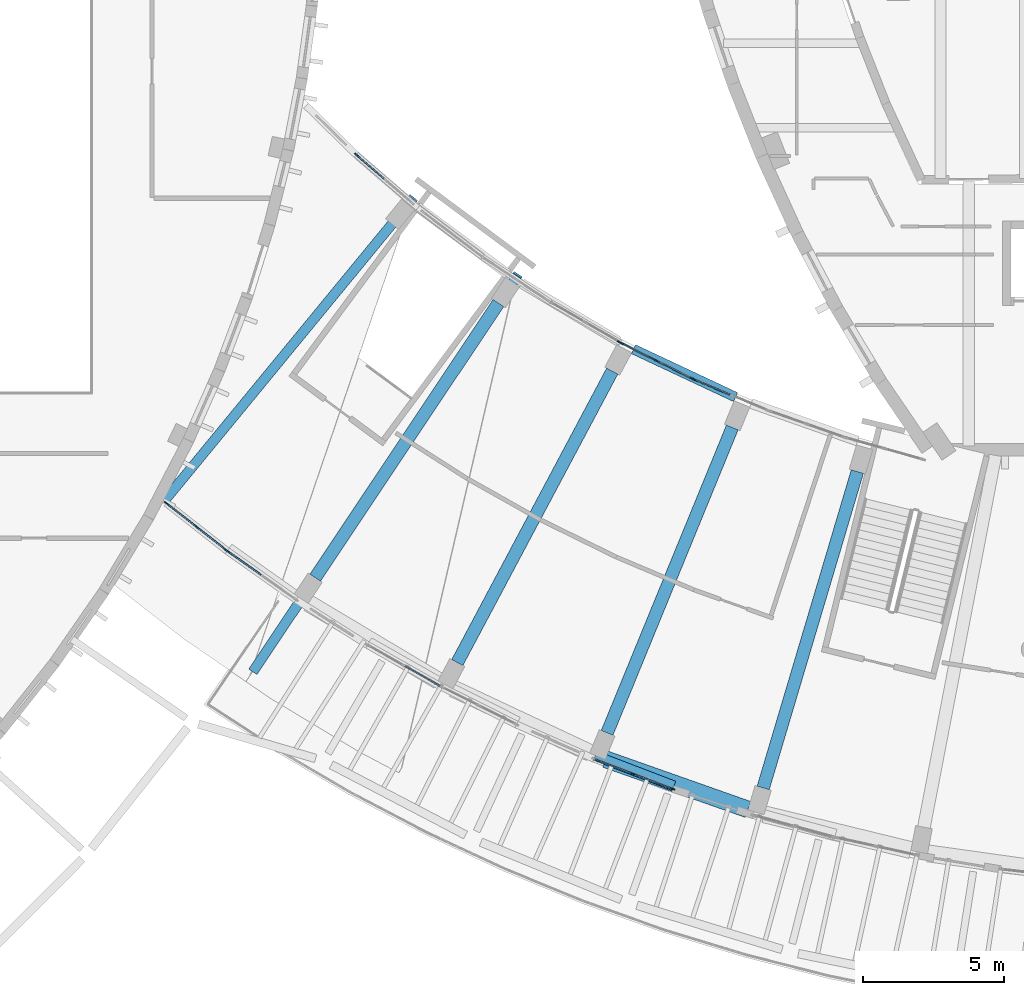
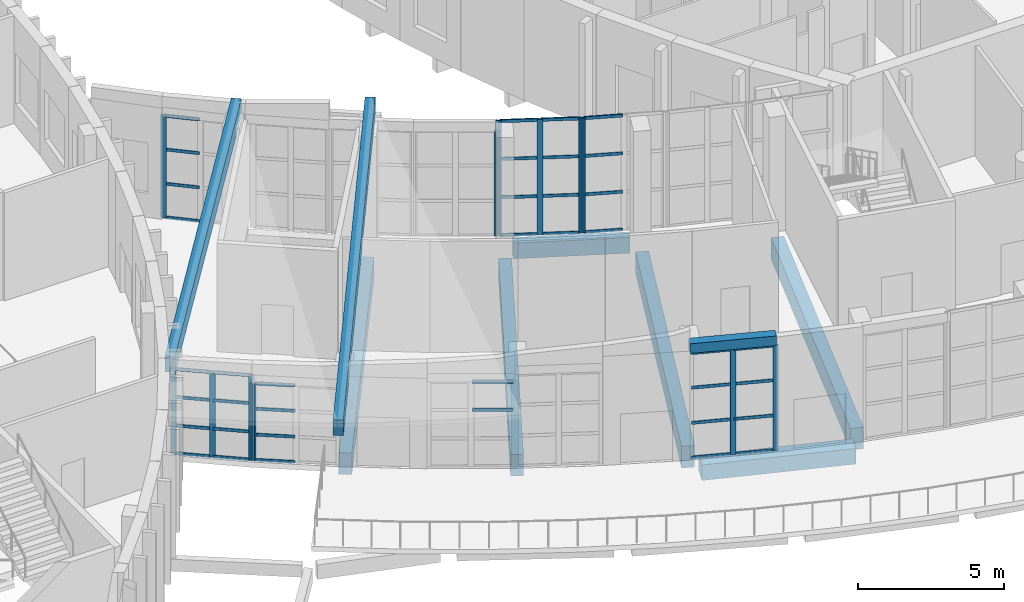
# One storey, part 9 of 93: 50 members, 9 beams, 8 elements without a shape of their own.
"""IFC4 building model written with IfcOpenShell, lengths in metres."""

from ifc_helpers import new_model, si_unit, direction, frame, origin, origin_2d, place, context, subcontext, project, spatial, rectangle, extrude, material, material_profile, profile_set, type_object, element, aggregate, save


model = new_model("IFC4")

# Units and contexts
model_context = context("Model", 3, precision=1e-05, world=origin(), true_north=direction((0.0, 1.0)))
body_context = subcontext(model_context, "Body", "Model", "MODEL_VIEW")
ifc_project = project(units=[si_unit("LENGTHUNIT", "METRE"), si_unit("AREAUNIT", "SQUARE_METRE"), si_unit("VOLUMEUNIT", "CUBIC_METRE"), si_unit("PLANEANGLEUNIT", "RADIAN"), si_unit("MASSUNIT", "GRAM", prefix="KILO")], contexts=[model_context])

# Site, building, storey
site_placement = place(None, origin())
site = spatial("IfcSite", under=ifc_project, at=site_placement, CompositionType="ELEMENT")
building_placement = place(site_placement, origin())
building = spatial("IfcBuilding", under=site, at=building_placement, Name="Tide Square Theatres", CompositionType="ELEMENT")
storey_placement = place(building_placement, frame((0.0, 0.0, 5.39990234375)))
storey = spatial("IfcBuildingStorey", under=building, at=storey_placement, Name="L01", CompositionType="ELEMENT", Elevation=5.39990234375)

# Curtain wall, members
ifc_material_1 = material(Name="Aluminium 6063-T5", Category="aluminium")
curtain_wall_type_1 = type_object("IfcCurtainWallType", Name="Unitised system curtain wall 3600 high", PredefinedType="USERDEFINED", material=ifc_material_1)
curtain_wall_1_placement = place(storey_placement, origin())
curtain_wall_1 = element("IfcCurtainWall", 1, at=curtain_wall_1_placement, inside=storey, type_object=curtain_wall_type_1, Name="Foyer outer curtain wall", ObjectType="UNITISED SYSTEM", PredefinedType="USERDEFINED")
ifc_material_2 = material(Name="Aluminium 6063-T5", Category="aluminium")
ifc_material_profile_1 = material_profile(ifc_material_2, rectangle(XDim=0.050048828125, YDim=0.199951171875, at=origin_2d()))
ifc_profile_set_1 = profile_set([ifc_material_profile_1], Name="Aluminium 6063-T5")
member_type_1 = type_object("IfcMemberType", Name="Aluminium mullion 50 x 200", PredefinedType="MULLION", material=ifc_profile_set_1)
member_1_placement = place(storey_placement, frame((46.070556640625, 21.67919921875, 0.0), z_axis=(0.0, 0.0, 1.0), x_axis=(0.617609263904, 0.786485090221, 0.0)))
member_1 = element("IfcMember", 2, at=member_1_placement, type_object=member_type_1, Name="CW-05 mullion 1", PredefinedType="MULLION", context=body_context, shape_type="SweptSolid", body=[
    extrude(rectangle(XDim=0.050048828125, YDim=0.199951171875, at=origin_2d()), origin(), (0.0, 0.0, 1.0), 3.559326171875),
])
member_2_placement = place(storey_placement, frame((47.130859375, 20.8466796875, 0.0), z_axis=(0.0, 0.0, 1.0), x_axis=(0.617609263904, 0.786485090221, 0.0)))
member_2 = element("IfcMember", 3, at=member_2_placement, type_object=member_type_1, Name="CW-05 mullion 2", PredefinedType="MULLION", context=body_context, shape_type="SweptSolid", body=[
    extrude(rectangle(XDim=0.050048828125, YDim=0.199951171875, at=origin_2d()), origin(), (0.0, 0.0, 1.0), 3.559326171875),
])
member_3_placement = place(storey_placement, frame((48.191162109375, 20.013916015625, 0.0), z_axis=(0.0, 0.0, 1.0), x_axis=(0.617609263904, 0.786485090221, 0.0)))
member_3 = element("IfcMember", 4, at=member_3_placement, type_object=member_type_1, Name="CW-05 mullion 3", PredefinedType="MULLION", context=body_context, shape_type="SweptSolid", body=[
    extrude(rectangle(XDim=0.050048828125, YDim=0.199951171875, at=origin_2d()), origin(), (0.0, 0.0, 1.0), 3.559326171875),
])

# Curtain wall, member
ifc_material_3 = material(Name="Aluminium 6063-T5", Category="aluminium")
curtain_wall_type_2 = type_object("IfcCurtainWallType", Name="Stick system curtain wall 3000 high", PredefinedType="USERDEFINED", material=ifc_material_3)
curtain_wall_2_placement = place(storey_placement, origin())
curtain_wall_2 = element("IfcCurtainWall", 5, at=curtain_wall_2_placement, inside=storey, type_object=curtain_wall_type_2, Name="Foyer outer curtain wall", ObjectType="STICK SYSTEM", PredefinedType="USERDEFINED")
member_4_placement = place(storey_placement, frame((48.231201171875, 19.984130859375, 0.0), z_axis=(0.0, 0.0, 1.0), x_axis=(0.577503246104, 0.816388388415, 0.0)))
member_4 = element("IfcMember", 6, at=member_4_placement, type_object=member_type_1, Name="CW-10 mullion 1", PredefinedType="MULLION", context=body_context, shape_type="SweptSolid", body=[
    extrude(rectangle(XDim=0.050048828125, YDim=0.199951171875, at=origin_2d()), origin(), (0.0, 0.0, 1.0), 3.23486328125),
])

# Curtain wall, members
ifc_material_4 = material(Name="Aluminium 6063-T5", Category="aluminium")
curtain_wall_type_3 = type_object("IfcCurtainWallType", Name="Unitised system curtain wall 4600 high", PredefinedType="USERDEFINED", material=ifc_material_4)
curtain_wall_3_placement = place(storey_placement, origin())
curtain_wall_3 = element("IfcCurtainWall", 7, at=curtain_wall_3_placement, inside=storey, type_object=curtain_wall_type_3, Name="Foyer outer curtain wall", ObjectType="UNITISED SYSTEM", PredefinedType="USERDEFINED")
member_5_placement = place(storey_placement, frame((62.610107421875, 12.09619140625, 0.0), z_axis=(0.0, 0.0, 1.0), x_axis=(0.357352440873, 0.933969610321, 0.0)))
member_5 = element("IfcMember", 8, at=member_5_placement, type_object=member_type_1, Name="CW-03 mullion 2", PredefinedType="MULLION", context=body_context, shape_type="SweptSolid", body=[
    extrude(rectangle(XDim=0.050048828125, YDim=0.199951171875, at=origin_2d()), origin(), (0.0, 0.0, 1.0), 4.400146484375),
])
member_6_placement = place(storey_placement, frame((63.98583984375, 11.56982421875, 0.0), z_axis=(0.0, 0.0, 1.0), x_axis=(0.357352440873, 0.933969610321, 0.0)))
member_6 = element("IfcMember", 9, at=member_6_placement, type_object=member_type_1, Name="CW-03 mullion 3", PredefinedType="MULLION", context=body_context, shape_type="SweptSolid", body=[
    extrude(rectangle(XDim=0.050048828125, YDim=0.199951171875, at=origin_2d()), origin(), (0.0, 0.0, 1.0), 4.400146484375),
])

# Curtain wall, member
ifc_material_5 = material(Name="Aluminium 6063-T5", Category="aluminium")
curtain_wall_type_4 = type_object("IfcCurtainWallType", Name="Unitised system curtain wall 4800 high", PredefinedType="USERDEFINED", material=ifc_material_5)
curtain_wall_4_placement = place(storey_placement, origin())
curtain_wall_4 = element("IfcCurtainWall", 10, at=curtain_wall_4_placement, inside=storey, type_object=curtain_wall_type_4, Name="Foyer inner curtain wall", ObjectType="UNITISED SYSTEM", PredefinedType="USERDEFINED")
member_7_placement = place(storey_placement, frame((64.756591796875, 26.081787109375, 0.0), z_axis=(0.0, 0.0, 1.0), x_axis=(-0.389137043393, -0.92117987465, 0.0)))
member_7 = element("IfcMember", 11, at=member_7_placement, type_object=member_type_1, Name="CW-02 mullion 3", PredefinedType="MULLION", context=body_context, shape_type="SweptSolid", body=[
    extrude(rectangle(XDim=0.050048828125, YDim=0.199951171875, at=origin_2d()), origin(), (0.0, 0.0, 1.0), 4.800048828125),
])

# Curtain wall, members
curtain_wall_5_placement = place(storey_placement, origin())
curtain_wall_5 = element("IfcCurtainWall", 12, at=curtain_wall_5_placement, inside=storey, type_object=curtain_wall_type_4, Name="Foyer inner curtain wall", ObjectType="UNITISED SYSTEM", PredefinedType="USERDEFINED")
member_8_placement = place(storey_placement, frame((64.711181640625, 26.1025390625, 0.0), z_axis=(0.0, 0.0, 1.0), x_axis=(-0.445865977245, -0.895099732061, 0.0)))
member_8 = element("IfcMember", 13, at=member_8_placement, type_object=member_type_1, Name="CW-02 mullion 1", PredefinedType="MULLION", context=body_context, shape_type="SweptSolid", body=[
    extrude(rectangle(XDim=0.050048828125, YDim=0.199951171875, at=origin_2d()), origin(), (0.0, 0.0, 1.0), 4.800048828125),
])
member_9_placement = place(storey_placement, frame((63.4443359375, 26.733642578125, 0.0), z_axis=(0.0, 0.0, 1.0), x_axis=(-0.445865977245, -0.895099732061, 0.0)))
member_9 = element("IfcMember", 14, at=member_9_placement, type_object=member_type_1, Name="CW-02 mullion 2", PredefinedType="MULLION", context=body_context, shape_type="SweptSolid", body=[
    extrude(rectangle(XDim=0.050048828125, YDim=0.199951171875, at=origin_2d()), origin(), (0.0, 0.0, 1.0), 4.800048828125),
])
member_10_placement = place(storey_placement, frame((62.177734375, 27.364501953125, 0.0), z_axis=(0.0, 0.0, 1.0), x_axis=(-0.445865977245, -0.895099732061, 0.0)))
member_10 = element("IfcMember", 15, at=member_10_placement, type_object=member_type_1, Name="CW-02 mullion 3", PredefinedType="MULLION", context=body_context, shape_type="SweptSolid", body=[
    extrude(rectangle(XDim=0.050048828125, YDim=0.199951171875, at=origin_2d()), origin(), (0.0, 0.0, 1.0), 4.800048828125),
])

# Curtain wall, member
curtain_wall_6_placement = place(storey_placement, origin())
curtain_wall_6 = element("IfcCurtainWall", 16, at=curtain_wall_6_placement, inside=storey, type_object=curtain_wall_type_3, Name="Foyer inner curtain wall", ObjectType="UNITISED SYSTEM", PredefinedType="USERDEFINED")
member_11_placement = place(storey_placement, frame((62.1337890625, 27.38818359375, 0.0), z_axis=(0.0, 0.0, 1.0), x_axis=(-0.500865183811, -0.865525313117, 0.0)))
member_11 = element("IfcMember", 17, at=member_11_placement, type_object=member_type_1, Name="CW-03 mullion 1", PredefinedType="MULLION", context=body_context, shape_type="SweptSolid", body=[
    extrude(rectangle(XDim=0.050048828125, YDim=0.199951171875, at=origin_2d()), origin(), (0.0, 0.0, 1.0), 4.400146484375),
])
aggregate(curtain_wall_6, [member_11])

curtain_wall_7_placement = place(storey_placement, origin())
curtain_wall_7 = element("IfcCurtainWall", 18, at=curtain_wall_7_placement, inside=storey, type_object=curtain_wall_type_3, Name="Foyer inner curtain wall", ObjectType="UNITISED SYSTEM", PredefinedType="USERDEFINED")
member_12_placement = place(storey_placement, frame((52.80908203125, 34.02099609375, 0.0), z_axis=(0.0, 0.0, 1.0), x_axis=(-0.653313198658, -0.757087752153, 0.0)))
member_12 = element("IfcMember", 19, at=member_12_placement, type_object=member_type_1, Name="CW-03 mullion 3", PredefinedType="MULLION", context=body_context, shape_type="SweptSolid", body=[
    extrude(rectangle(XDim=0.050048828125, YDim=0.199951171875, at=origin_2d()), origin(), (0.0, 0.0, 1.0), 4.281494140625),
])

# Member
ifc_material_6 = material(Name="Aluminium 6063-T5", Category="aluminium")
ifc_material_profile_2 = material_profile(ifc_material_6, rectangle(XDim=0.050048828125, YDim=0.125, at=origin_2d()))
ifc_profile_set_2 = profile_set([ifc_material_profile_2], Name="Aluminium 6063-T5")
member_type_2 = type_object("IfcMemberType", Name="Aluminium transom 50 x 125", PredefinedType="USERDEFINED", material=ifc_profile_set_2)
member_13_placement = place(storey_placement, frame((46.090087890625, 21.663818359375, 0.025146484375), z_axis=(0.786487982988, -0.617605580137, 0.0), x_axis=(0.617605580137, 0.786487982988, 0.0)))
member_13 = element("IfcMember", 20, at=member_13_placement, type_object=member_type_2, Name="CW-05 transom 1.1", ObjectType="TRANSOM", PredefinedType="USERDEFINED", context=body_context, shape_type="SweptSolid", body=[
    extrude(rectangle(XDim=0.050048828125, YDim=0.125, at=origin_2d()), origin(), (0.0, 0.0, 1.0), 1.298095703125),
])

member_14_placement = place(storey_placement, frame((46.090087890625, 21.663818359375, 1.1865234375), z_axis=(0.786487982988, -0.617605580137, 0.0), x_axis=(0.617605580137, 0.786487982988, 0.0)))
member_14 = element("IfcMember", 21, at=member_14_placement, type_object=member_type_2, Name="CW-05 transom 1.2", ObjectType="TRANSOM", PredefinedType="USERDEFINED", context=body_context, shape_type="SweptSolid", body=[
    extrude(rectangle(XDim=0.050048828125, YDim=0.125, at=origin_2d()), origin(), (0.0, 0.0, 1.0), 1.298095703125),
])

member_15_placement = place(storey_placement, frame((46.090087890625, 21.663818359375, 2.373046875), z_axis=(0.786487982988, -0.617605580137, 0.0), x_axis=(0.617605580137, 0.786487982988, 0.0)))
member_15 = element("IfcMember", 22, at=member_15_placement, type_object=member_type_2, Name="CW-05 transom 1.3", ObjectType="TRANSOM", PredefinedType="USERDEFINED", context=body_context, shape_type="SweptSolid", body=[
    extrude(rectangle(XDim=0.050048828125, YDim=0.125, at=origin_2d()), origin(), (0.0, 0.0, 1.0), 1.298095703125),
])

member_16_placement = place(storey_placement, frame((46.090087890625, 21.663818359375, 3.534423828125), z_axis=(0.786487982988, -0.617605580137, 0.0), x_axis=(0.617605580137, 0.786487982988, 0.0)))
member_16 = element("IfcMember", 23, at=member_16_placement, type_object=member_type_2, Name="CW-05 transom 1.4", ObjectType="TRANSOM", PredefinedType="USERDEFINED", context=body_context, shape_type="SweptSolid", body=[
    extrude(rectangle(XDim=0.050048828125, YDim=0.125, at=origin_2d()), origin(), (0.0, 0.0, 1.0), 1.298095703125),
])

member_17_placement = place(storey_placement, frame((47.150390625, 20.8310546875, 0.025146484375), z_axis=(0.786487982988, -0.617605580137, 0.0), x_axis=(0.617605580137, 0.786487982988, 0.0)))
member_17 = element("IfcMember", 24, at=member_17_placement, type_object=member_type_2, Name="CW-05 transom 2.1", ObjectType="TRANSOM", PredefinedType="USERDEFINED", context=body_context, shape_type="SweptSolid", body=[
    extrude(rectangle(XDim=0.050048828125, YDim=0.125, at=origin_2d()), origin(), (0.0, 0.0, 1.0), 1.298095703125),
])

member_18_placement = place(storey_placement, frame((47.150390625, 20.8310546875, 1.1865234375), z_axis=(0.786487982988, -0.617605580137, 0.0), x_axis=(0.617605580137, 0.786487982988, 0.0)))
member_18 = element("IfcMember", 25, at=member_18_placement, type_object=member_type_2, Name="CW-05 transom 2.2", ObjectType="TRANSOM", PredefinedType="USERDEFINED", context=body_context, shape_type="SweptSolid", body=[
    extrude(rectangle(XDim=0.050048828125, YDim=0.125, at=origin_2d()), origin(), (0.0, 0.0, 1.0), 1.298095703125),
])

member_19_placement = place(storey_placement, frame((47.150390625, 20.8310546875, 2.373046875), z_axis=(0.786487982988, -0.617605580137, 0.0), x_axis=(0.617605580137, 0.786487982988, 0.0)))
member_19 = element("IfcMember", 26, at=member_19_placement, type_object=member_type_2, Name="CW-05 transom 2.3", ObjectType="TRANSOM", PredefinedType="USERDEFINED", context=body_context, shape_type="SweptSolid", body=[
    extrude(rectangle(XDim=0.050048828125, YDim=0.125, at=origin_2d()), origin(), (0.0, 0.0, 1.0), 1.298095703125),
])

member_20_placement = place(storey_placement, frame((47.150390625, 20.8310546875, 3.534423828125), z_axis=(0.786487982988, -0.617605580137, 0.0), x_axis=(0.617605580137, 0.786487982988, 0.0)))
member_20 = element("IfcMember", 27, at=member_20_placement, type_object=member_type_2, Name="CW-05 transom 2.4", ObjectType="TRANSOM", PredefinedType="USERDEFINED", context=body_context, shape_type="SweptSolid", body=[
    extrude(rectangle(XDim=0.050048828125, YDim=0.125, at=origin_2d()), origin(), (0.0, 0.0, 1.0), 1.298095703125),
])

aggregate(curtain_wall_1, [member_1, member_2, member_3, member_13, member_14, member_15, member_16, member_17, member_18, member_19, member_20])

member_21_placement = place(storey_placement, frame((48.251708984375, 19.9697265625, 0.025146484375), z_axis=(0.816368286123, -0.577531662692, 0.0), x_axis=(0.577531662692, 0.816368286123, 0.0)))
member_21 = element("IfcMember", 28, at=member_21_placement, type_object=member_type_2, Name="CW-10 transom 1.1", ObjectType="TRANSOM", PredefinedType="USERDEFINED", context=body_context, shape_type="SweptSolid", body=[
    extrude(rectangle(XDim=0.050048828125, YDim=0.125, at=origin_2d()), origin(), (0.0, 0.0, 1.0), 1.4228515625),
])

member_22_placement = place(storey_placement, frame((48.251708984375, 19.9697265625, 1.078369140625), z_axis=(0.816368286123, -0.577531662692, 0.0), x_axis=(0.577531662692, 0.816368286123, 0.0)))
member_22 = element("IfcMember", 29, at=member_22_placement, type_object=member_type_2, Name="CW-10 transom 1.2", ObjectType="TRANSOM", PredefinedType="USERDEFINED", context=body_context, shape_type="SweptSolid", body=[
    extrude(rectangle(XDim=0.050048828125, YDim=0.125, at=origin_2d()), origin(), (0.0, 0.0, 1.0), 1.4228515625),
])

member_23_placement = place(storey_placement, frame((48.251708984375, 19.9697265625, 2.156494140625), z_axis=(0.816368286123, -0.577531662692, 0.0), x_axis=(0.577531662692, 0.816368286123, 0.0)))
member_23 = element("IfcMember", 30, at=member_23_placement, type_object=member_type_2, Name="CW-10 transom 1.3", ObjectType="TRANSOM", PredefinedType="USERDEFINED", context=body_context, shape_type="SweptSolid", body=[
    extrude(rectangle(XDim=0.050048828125, YDim=0.125, at=origin_2d()), origin(), (0.0, 0.0, 1.0), 1.4228515625),
])

member_24_placement = place(storey_placement, frame((48.251708984375, 19.9697265625, 3.2099609375), z_axis=(0.816368286123, -0.577531662692, 0.0), x_axis=(0.577531662692, 0.816368286123, 0.0)))
member_24 = element("IfcMember", 31, at=member_24_placement, type_object=member_type_2, Name="CW-10 transom 1.4", ObjectType="TRANSOM", PredefinedType="USERDEFINED", context=body_context, shape_type="SweptSolid", body=[
    extrude(rectangle(XDim=0.050048828125, YDim=0.125, at=origin_2d()), origin(), (0.0, 0.0, 1.0), 1.4228515625),
])

aggregate(curtain_wall_2, [member_4, member_21, member_22, member_23, member_24])

# Curtain wall, members
curtain_wall_8_placement = place(storey_placement, origin())
curtain_wall_8 = element("IfcCurtainWall", 32, at=curtain_wall_8_placement, inside=storey, type_object=curtain_wall_type_1, Name="Foyer outer curtain wall", ObjectType="UNITISED SYSTEM", PredefinedType="USERDEFINED")
member_25_placement = place(storey_placement, frame((54.51123046875, 15.911865234375, 2.37841796875), z_axis=(0.86999029574, -0.493068844401, 0.0), x_axis=(0.493068844401, 0.86999029574, 0.0)))
member_25 = element("IfcMember", 33, at=member_25_placement, type_object=member_type_2, Name="CW-05 transom 2.3", ObjectType="TRANSOM", PredefinedType="USERDEFINED", context=body_context, shape_type="SweptSolid", body=[
    extrude(rectangle(XDim=0.050048828125, YDim=0.125, at=origin_2d()), origin(), (0.0, 0.0, 1.0), 1.423095703125),
])
member_26_placement = place(storey_placement, frame((54.51123046875, 15.911865234375, 3.54248046875), z_axis=(0.86999029574, -0.493068844401, 0.0), x_axis=(0.493068844401, 0.86999029574, 0.0)))
member_26 = element("IfcMember", 34, at=member_26_placement, type_object=member_type_2, Name="CW-05 transom 2.4", ObjectType="TRANSOM", PredefinedType="USERDEFINED", context=body_context, shape_type="SweptSolid", body=[
    extrude(rectangle(XDim=0.050048828125, YDim=0.125, at=origin_2d()), origin(), (0.0, 0.0, 1.0), 1.423095703125),
])
aggregate(curtain_wall_8, [member_25, member_26])

# Member
member_27_placement = place(storey_placement, frame((61.2578125, 12.613525390625, 0.025146484375), z_axis=(0.934003001892, -0.357265157071, 0.0), x_axis=(0.357265157071, 0.934003001892, 0.0)))
member_27 = element("IfcMember", 35, at=member_27_placement, type_object=member_type_2, Name="CW-03 transom 1.1", ObjectType="TRANSOM", PredefinedType="USERDEFINED", context=body_context, shape_type="SweptSolid", body=[
    extrude(rectangle(XDim=0.050048828125, YDim=0.125, at=origin_2d()), origin(), (0.0, 0.0, 1.0), 1.4228515625),
])

member_28_placement = place(storey_placement, frame((61.2578125, 12.613525390625, 1.466796875), z_axis=(0.934003001892, -0.357265157071, 0.0), x_axis=(0.357265157071, 0.934003001892, 0.0)))
member_28 = element("IfcMember", 36, at=member_28_placement, type_object=member_type_2, Name="CW-03 transom 1.2", ObjectType="TRANSOM", PredefinedType="USERDEFINED", context=body_context, shape_type="SweptSolid", body=[
    extrude(rectangle(XDim=0.050048828125, YDim=0.125, at=origin_2d()), origin(), (0.0, 0.0, 1.0), 1.4228515625),
])

member_29_placement = place(storey_placement, frame((61.2578125, 12.613525390625, 2.933349609375), z_axis=(0.934003001892, -0.357265157071, 0.0), x_axis=(0.357265157071, 0.934003001892, 0.0)))
member_29 = element("IfcMember", 37, at=member_29_placement, type_object=member_type_2, Name="CW-03 transom 1.3", ObjectType="TRANSOM", PredefinedType="USERDEFINED", context=body_context, shape_type="SweptSolid", body=[
    extrude(rectangle(XDim=0.050048828125, YDim=0.125, at=origin_2d()), origin(), (0.0, 0.0, 1.0), 1.4228515625),
])

member_30_placement = place(storey_placement, frame((61.2578125, 12.613525390625, 4.375), z_axis=(0.934003001892, -0.357265157071, 0.0), x_axis=(0.357265157071, 0.934003001892, 0.0)))
member_30 = element("IfcMember", 38, at=member_30_placement, type_object=member_type_2, Name="CW-03 transom 1.4", ObjectType="TRANSOM", PredefinedType="USERDEFINED", context=body_context, shape_type="SweptSolid", body=[
    extrude(rectangle(XDim=0.050048828125, YDim=0.125, at=origin_2d()), origin(), (0.0, 0.0, 1.0), 1.4228515625),
])

member_31_placement = place(storey_placement, frame((62.63330078125, 12.087158203125, 0.025146484375), z_axis=(0.934024899005, -0.357207905902, 0.0), x_axis=(0.357207905902, 0.934024899005, 0.0)))
member_31 = element("IfcMember", 39, at=member_31_placement, type_object=member_type_2, Name="CW-03 transom 2.1", ObjectType="TRANSOM", PredefinedType="USERDEFINED", context=body_context, shape_type="SweptSolid", body=[
    extrude(rectangle(XDim=0.050048828125, YDim=0.125, at=origin_2d()), origin(), (0.0, 0.0, 1.0), 1.423095703125),
])

member_32_placement = place(storey_placement, frame((62.63330078125, 12.087158203125, 1.466796875), z_axis=(0.934024899005, -0.357207905902, 0.0), x_axis=(0.357207905902, 0.934024899005, 0.0)))
member_32 = element("IfcMember", 40, at=member_32_placement, type_object=member_type_2, Name="CW-03 transom 2.2", ObjectType="TRANSOM", PredefinedType="USERDEFINED", context=body_context, shape_type="SweptSolid", body=[
    extrude(rectangle(XDim=0.050048828125, YDim=0.125, at=origin_2d()), origin(), (0.0, 0.0, 1.0), 1.423095703125),
])

member_33_placement = place(storey_placement, frame((62.63330078125, 12.087158203125, 2.933349609375), z_axis=(0.934024899005, -0.357207905902, 0.0), x_axis=(0.357207905902, 0.934024899005, 0.0)))
member_33 = element("IfcMember", 41, at=member_33_placement, type_object=member_type_2, Name="CW-03 transom 2.3", ObjectType="TRANSOM", PredefinedType="USERDEFINED", context=body_context, shape_type="SweptSolid", body=[
    extrude(rectangle(XDim=0.050048828125, YDim=0.125, at=origin_2d()), origin(), (0.0, 0.0, 1.0), 1.423095703125),
])

member_34_placement = place(storey_placement, frame((62.63330078125, 12.087158203125, 4.375), z_axis=(0.934024899005, -0.357207905902, 0.0), x_axis=(0.357207905902, 0.934024899005, 0.0)))
member_34 = element("IfcMember", 42, at=member_34_placement, type_object=member_type_2, Name="CW-03 transom 2.4", ObjectType="TRANSOM", PredefinedType="USERDEFINED", context=body_context, shape_type="SweptSolid", body=[
    extrude(rectangle(XDim=0.050048828125, YDim=0.125, at=origin_2d()), origin(), (0.0, 0.0, 1.0), 1.423095703125),
])

aggregate(curtain_wall_3, [member_5, member_6, member_27, member_28, member_29, member_30, member_31, member_32, member_33, member_34])

member_35_placement = place(storey_placement, frame((66.037109375, 25.540771484375, 0.025146484375), z_axis=(-0.921176917227, 0.389144044241, 0.0), x_axis=(-0.389144044241, -0.921176917227, 0.0)))
member_35 = element("IfcMember", 43, at=member_35_placement, type_object=member_type_2, Name="CW-02 transom 2.1", ObjectType="TRANSOM", PredefinedType="USERDEFINED", context=body_context, shape_type="SweptSolid", body=[
    extrude(rectangle(XDim=0.050048828125, YDim=0.125, at=origin_2d()), origin(), (0.0, 0.0, 1.0), 1.365234375),
])

member_36_placement = place(storey_placement, frame((66.037109375, 25.540771484375, 1.60009765625), z_axis=(-0.921176917227, 0.389144044241, 0.0), x_axis=(-0.389144044241, -0.921176917227, 0.0)))
member_36 = element("IfcMember", 44, at=member_36_placement, type_object=member_type_2, Name="CW-02 transom 2.2", ObjectType="TRANSOM", PredefinedType="USERDEFINED", context=body_context, shape_type="SweptSolid", body=[
    extrude(rectangle(XDim=0.050048828125, YDim=0.125, at=origin_2d()), origin(), (0.0, 0.0, 1.0), 1.365234375),
])

member_37_placement = place(storey_placement, frame((66.037109375, 25.540771484375, 3.2001953125), z_axis=(-0.921176917227, 0.389144044241, 0.0), x_axis=(-0.389144044241, -0.921176917227, 0.0)))
member_37 = element("IfcMember", 45, at=member_37_placement, type_object=member_type_2, Name="CW-02 transom 2.3", ObjectType="TRANSOM", PredefinedType="USERDEFINED", context=body_context, shape_type="SweptSolid", body=[
    extrude(rectangle(XDim=0.050048828125, YDim=0.125, at=origin_2d()), origin(), (0.0, 0.0, 1.0), 1.365234375),
])

member_38_placement = place(storey_placement, frame((66.037109375, 25.540771484375, 4.775146484375), z_axis=(-0.921176917227, 0.389144044241, 0.0), x_axis=(-0.389144044241, -0.921176917227, 0.0)))
member_38 = element("IfcMember", 46, at=member_38_placement, type_object=member_type_2, Name="CW-02 transom 2.4", ObjectType="TRANSOM", PredefinedType="USERDEFINED", context=body_context, shape_type="SweptSolid", body=[
    extrude(rectangle(XDim=0.050048828125, YDim=0.125, at=origin_2d()), origin(), (0.0, 0.0, 1.0), 1.365234375),
])

aggregate(curtain_wall_4, [member_7, member_35, member_36, member_37, member_38])

member_39_placement = place(storey_placement, frame((64.688720703125, 26.11376953125, 0.025146484375), z_axis=(-0.895105759031, 0.445853877575, 0.0), x_axis=(-0.445853877575, -0.895105759031, 0.0)))
member_39 = element("IfcMember", 47, at=member_39_placement, type_object=member_type_2, Name="CW-02 transom 1.1", ObjectType="TRANSOM", PredefinedType="USERDEFINED", context=body_context, shape_type="SweptSolid", body=[
    extrude(rectangle(XDim=0.050048828125, YDim=0.125, at=origin_2d()), origin(), (0.0, 0.0, 1.0), 1.365234375),
])

member_40_placement = place(storey_placement, frame((64.688720703125, 26.11376953125, 1.60009765625), z_axis=(-0.895105759031, 0.445853877575, 0.0), x_axis=(-0.445853877575, -0.895105759031, 0.0)))
member_40 = element("IfcMember", 48, at=member_40_placement, type_object=member_type_2, Name="CW-02 transom 1.2", ObjectType="TRANSOM", PredefinedType="USERDEFINED", context=body_context, shape_type="SweptSolid", body=[
    extrude(rectangle(XDim=0.050048828125, YDim=0.125, at=origin_2d()), origin(), (0.0, 0.0, 1.0), 1.365234375),
])

member_41_placement = place(storey_placement, frame((64.688720703125, 26.11376953125, 3.2001953125), z_axis=(-0.895105759031, 0.445853877575, 0.0), x_axis=(-0.445853877575, -0.895105759031, 0.0)))
member_41 = element("IfcMember", 49, at=member_41_placement, type_object=member_type_2, Name="CW-02 transom 1.3", ObjectType="TRANSOM", PredefinedType="USERDEFINED", context=body_context, shape_type="SweptSolid", body=[
    extrude(rectangle(XDim=0.050048828125, YDim=0.125, at=origin_2d()), origin(), (0.0, 0.0, 1.0), 1.365234375),
])

member_42_placement = place(storey_placement, frame((64.688720703125, 26.11376953125, 4.775146484375), z_axis=(-0.895105759031, 0.445853877575, 0.0), x_axis=(-0.445853877575, -0.895105759031, 0.0)))
member_42 = element("IfcMember", 50, at=member_42_placement, type_object=member_type_2, Name="CW-02 transom 1.4", ObjectType="TRANSOM", PredefinedType="USERDEFINED", context=body_context, shape_type="SweptSolid", body=[
    extrude(rectangle(XDim=0.050048828125, YDim=0.125, at=origin_2d()), origin(), (0.0, 0.0, 1.0), 1.365234375),
])

member_43_placement = place(storey_placement, frame((63.422119140625, 26.74462890625, 0.025146484375), z_axis=(-0.895034379727, 0.445997151456, 0.0), x_axis=(-0.445997151456, -0.895034379727, 0.0)))
member_43 = element("IfcMember", 51, at=member_43_placement, type_object=member_type_2, Name="CW-02 transom 2.1", ObjectType="TRANSOM", PredefinedType="USERDEFINED", context=body_context, shape_type="SweptSolid", body=[
    extrude(rectangle(XDim=0.050048828125, YDim=0.125, at=origin_2d()), origin(), (0.0, 0.0, 1.0), 1.365234375),
])

member_44_placement = place(storey_placement, frame((63.422119140625, 26.74462890625, 1.60009765625), z_axis=(-0.895034379727, 0.445997151456, 0.0), x_axis=(-0.445997151456, -0.895034379727, 0.0)))
member_44 = element("IfcMember", 52, at=member_44_placement, type_object=member_type_2, Name="CW-02 transom 2.2", ObjectType="TRANSOM", PredefinedType="USERDEFINED", context=body_context, shape_type="SweptSolid", body=[
    extrude(rectangle(XDim=0.050048828125, YDim=0.125, at=origin_2d()), origin(), (0.0, 0.0, 1.0), 1.365234375),
])

member_45_placement = place(storey_placement, frame((63.422119140625, 26.74462890625, 3.2001953125), z_axis=(-0.895034379727, 0.445997151456, 0.0), x_axis=(-0.445997151456, -0.895034379727, 0.0)))
member_45 = element("IfcMember", 53, at=member_45_placement, type_object=member_type_2, Name="CW-02 transom 2.3", ObjectType="TRANSOM", PredefinedType="USERDEFINED", context=body_context, shape_type="SweptSolid", body=[
    extrude(rectangle(XDim=0.050048828125, YDim=0.125, at=origin_2d()), origin(), (0.0, 0.0, 1.0), 1.365234375),
])

member_46_placement = place(storey_placement, frame((63.422119140625, 26.74462890625, 4.775146484375), z_axis=(-0.895034379727, 0.445997151456, 0.0), x_axis=(-0.445997151456, -0.895034379727, 0.0)))
member_46 = element("IfcMember", 54, at=member_46_placement, type_object=member_type_2, Name="CW-02 transom 2.4", ObjectType="TRANSOM", PredefinedType="USERDEFINED", context=body_context, shape_type="SweptSolid", body=[
    extrude(rectangle(XDim=0.050048828125, YDim=0.125, at=origin_2d()), origin(), (0.0, 0.0, 1.0), 1.365234375),
])

aggregate(curtain_wall_5, [member_8, member_9, member_10, member_39, member_40, member_41, member_42, member_43, member_44, member_45, member_46])

member_47_placement = place(storey_placement, frame((53.76123046875, 33.19921875, 0.025146484375), z_axis=(-0.757085664512, 0.653315617898, 0.0), x_axis=(-0.653315617898, -0.757085664512, 0.0)))
member_47 = element("IfcMember", 55, at=member_47_placement, type_object=member_type_2, Name="CW-03 transom 2.1", ObjectType="TRANSOM", PredefinedType="USERDEFINED", context=body_context, shape_type="SweptSolid", body=[
    extrude(rectangle(XDim=0.050048828125, YDim=0.125, at=origin_2d()), origin(), (0.0, 0.0, 1.0), 1.23291015625),
])

member_48_placement = place(storey_placement, frame((53.76123046875, 33.19921875, 1.42724609375), z_axis=(-0.757085664512, 0.653315617898, 0.0), x_axis=(-0.653315617898, -0.757085664512, 0.0)))
member_48 = element("IfcMember", 56, at=member_48_placement, type_object=member_type_2, Name="CW-03 transom 2.2", ObjectType="TRANSOM", PredefinedType="USERDEFINED", context=body_context, shape_type="SweptSolid", body=[
    extrude(rectangle(XDim=0.050048828125, YDim=0.125, at=origin_2d()), origin(), (0.0, 0.0, 1.0), 1.23291015625),
])

member_49_placement = place(storey_placement, frame((53.76123046875, 33.19921875, 2.854248046875), z_axis=(-0.757085664512, 0.653315617898, 0.0), x_axis=(-0.653315617898, -0.757085664512, 0.0)))
member_49 = element("IfcMember", 57, at=member_49_placement, type_object=member_type_2, Name="CW-03 transom 2.3", ObjectType="TRANSOM", PredefinedType="USERDEFINED", context=body_context, shape_type="SweptSolid", body=[
    extrude(rectangle(XDim=0.050048828125, YDim=0.125, at=origin_2d()), origin(), (0.0, 0.0, 1.0), 1.23291015625),
])

member_50_placement = place(storey_placement, frame((53.76123046875, 33.19921875, 4.25634765625), z_axis=(-0.757085664512, 0.653315617898, 0.0), x_axis=(-0.653315617898, -0.757085664512, 0.0)))
member_50 = element("IfcMember", 58, at=member_50_placement, type_object=member_type_2, Name="CW-03 transom 2.4", ObjectType="TRANSOM", PredefinedType="USERDEFINED", context=body_context, shape_type="SweptSolid", body=[
    extrude(rectangle(XDim=0.050048828125, YDim=0.125, at=origin_2d()), origin(), (0.0, 0.0, 1.0), 1.23291015625),
])

aggregate(curtain_wall_7, [member_12, member_47, member_48, member_49, member_50])

# Beams
ifc_material_7 = material(Name="Concrete C35", Category="concrete")
ifc_material_profile_3 = material_profile(ifc_material_7, rectangle(XDim=0.35009765625, YDim=0.39990234375, at=origin_2d()))
ifc_profile_set_3 = profile_set([ifc_material_profile_3], Name="Concrete C35")
beam_type_1 = type_object("IfcBeamType", Name="RC beam 350 x 400", PredefinedType="BEAM", material=ifc_profile_set_3)
beam_1_placement = place(storey_placement, frame((61.252197265625, 12.739013671875, 4.60009765625), z_axis=(0.933947058074, -0.357411377429, 0.0), x_axis=(0.357411377429, 0.933947058074, 0.0)))
element("IfcBeam", 59, at=beam_1_placement, inside=storey, type_object=beam_type_1, Name="Foyer fascia head beam", PredefinedType="BEAM", context=body_context, shape_type="SweptSolid", body=[
    extrude(rectangle(XDim=0.35009765625, YDim=0.39990234375, at=origin_2d()), origin(), (0.0, 0.0, 1.0), 2.99609375),
])
ifc_material_8 = material(Name="Concrete C35", Category="concrete")
ifc_material_profile_4 = material_profile(ifc_material_8, rectangle(XDim=0.449951171875, YDim=0.89990234375, at=origin_2d()))
ifc_profile_set_4 = profile_set([ifc_material_profile_4], Name="Concrete C35")
beam_type_2 = type_object("IfcBeamType", Name="RC beam 450 x 900", PredefinedType="BEAM", material=ifc_profile_set_4)
for number, where, z_axis, x_axis, name in (
    (60, (51.332275390625, 19.049560546875, -0.669921875), (0.55509499525, 0.831786959652, 0.0), (-0.831786959652, 0.55509499525, 0.0), "Foyer floor girder"),
    (61, (56.368408203125, 16.040283203125, -0.669921875), (0.469525416704, 0.882918956116, 0.0), (-0.882918956116, 0.469525416704, 0.0), "Foyer floor girder"),
    (62, (61.6787109375, 13.54736328125, -0.669921875), (0.379295758714, 0.925275487313, 0.0), (-0.925275487313, 0.379295758714, 0.0), "Foyer floor girder"),
    (63, (67.211181640625, 11.595703125, -0.669921875), (0.285293073592, 0.958440327908, 0.0), (-0.958440327908, 0.285293073592, 0.0), "Foyer floor girder"),
):
    element("IfcBeam", number, at=place(storey_placement, frame(where, z_axis=z_axis, x_axis=x_axis)), inside=storey, type_object=beam_type_2, Name=name, PredefinedType="BEAM", context=body_context, shape_type="SweptSolid", body=[
        extrude(rectangle(XDim=0.449951171875, YDim=0.89990234375, at=origin_2d()), origin(), (0.0, 0.0, 1.0), 11.699951171875),
    ])
ifc_material_9 = material(Name="Concrete C40", Category="concrete")
ifc_material_profile_5 = material_profile(ifc_material_9, rectangle(XDim=0.35009765625, YDim=0.699951171875, at=origin_2d()))
ifc_profile_set_5 = profile_set([ifc_material_profile_5], Name="Concrete C40")
beam_type_3 = type_object("IfcBeamType", Name="RC foyer roof rib 350 x 700", PredefinedType="BEAM", material=ifc_profile_set_5)
beam_2_placement = place(storey_placement, frame((54.807861328125, 32.5009765625, 4.86328125), z_axis=(-0.632816692508, -0.769534723255, -0.085786615442), x_axis=(0.772382084097, -0.635158182003, 0.0)))
element("IfcBeam", 64, at=beam_2_placement, inside=storey, type_object=beam_type_3, Name="Foyer roof rib 0", PredefinedType="BEAM", context=body_context, shape_type="SweptSolid", body=[
    extrude(rectangle(XDim=0.35009765625, YDim=0.699951171875, at=origin_2d()), origin(), (0.0, 0.0, 1.0), 13.910888671875),
])
beam_3_placement = place(storey_placement, frame((58.510009765625, 29.77685546875, 5.279296875), z_axis=(-0.552379249924, -0.827697750506, -0.098962609408), x_axis=(0.831780835717, -0.555104171606, 0.0)))
element("IfcBeam", 65, at=beam_3_placement, inside=storey, type_object=beam_type_3, Name="Foyer roof rib 1", PredefinedType="BEAM", context=body_context, shape_type="SweptSolid", body=[
    extrude(rectangle(XDim=0.35009765625, YDim=0.699951171875, at=origin_2d()), origin(), (0.0, 0.0, 1.0), 16.95556640625),
])
ifc_material_10 = material(Name="Concrete C35", Category="concrete")
ifc_material_profile_6 = material_profile(ifc_material_10, rectangle(XDim=0.35009765625, YDim=0.64990234375, at=origin_2d()))
ifc_profile_set_6 = profile_set([ifc_material_profile_6], Name="Concrete C35")
beam_type_4 = type_object("IfcBeamType", Name="RC spandrel beam 350 x 650", PredefinedType="SPANDREL", material=ifc_profile_set_6)
beam_4_placement = place(storey_placement, frame((62.614501953125, 27.14794921875, -0.544921875), z_axis=(0.905218248746, -0.424946963911, 0.0), x_axis=(0.424946963911, 0.905218248746, 0.0)))
element("IfcBeam", 66, at=beam_4_placement, inside=storey, type_object=beam_type_4, Name="Foyer inner spandrel beam", PredefinedType="SPANDREL", context=body_context, shape_type="SweptSolid", body=[
    extrude(rectangle(XDim=0.35009765625, YDim=0.64990234375, at=origin_2d()), origin(), (0.0, 0.0, 1.0), 3.998046875),
])
ifc_material_11 = material(Name="Concrete C35", Category="concrete")
ifc_material_profile_7 = material_profile(ifc_material_11, rectangle(XDim=0.60009765625, YDim=0.64990234375, at=origin_2d()))
ifc_profile_set_7 = profile_set([ifc_material_profile_7], Name="Concrete C35")
beam_type_5 = type_object("IfcBeamType", Name="RC spandrel beam 600 x 650", PredefinedType="SPANDREL", material=ifc_profile_set_7)
beam_5_placement = place(storey_placement, frame((61.620361328125, 12.61474609375, -0.544921875), z_axis=(0.943033242369, -0.332698517862, 0.0), x_axis=(0.332698517862, 0.943033242369, 0.0)))
element("IfcBeam", 67, at=beam_5_placement, inside=storey, type_object=beam_type_5, Name="Foyer outer spandrel beam", PredefinedType="SPANDREL", context=body_context, shape_type="SweptSolid", body=[
    extrude(rectangle(XDim=0.60009765625, YDim=0.64990234375, at=origin_2d()), origin(), (0.0, 0.0, 1.0), 5.356201171875),
])

save(model, "model.ifc")
